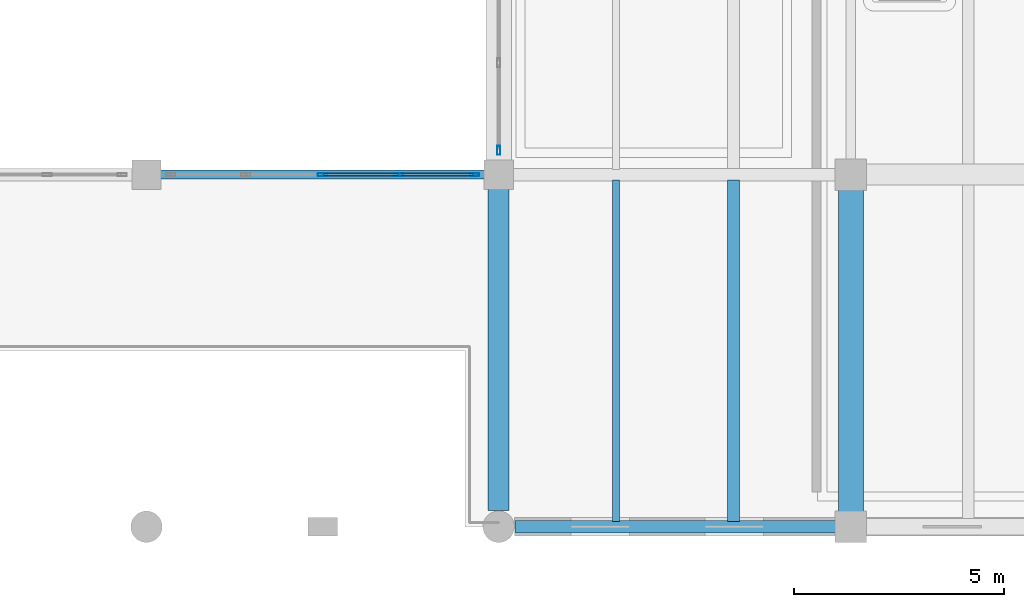
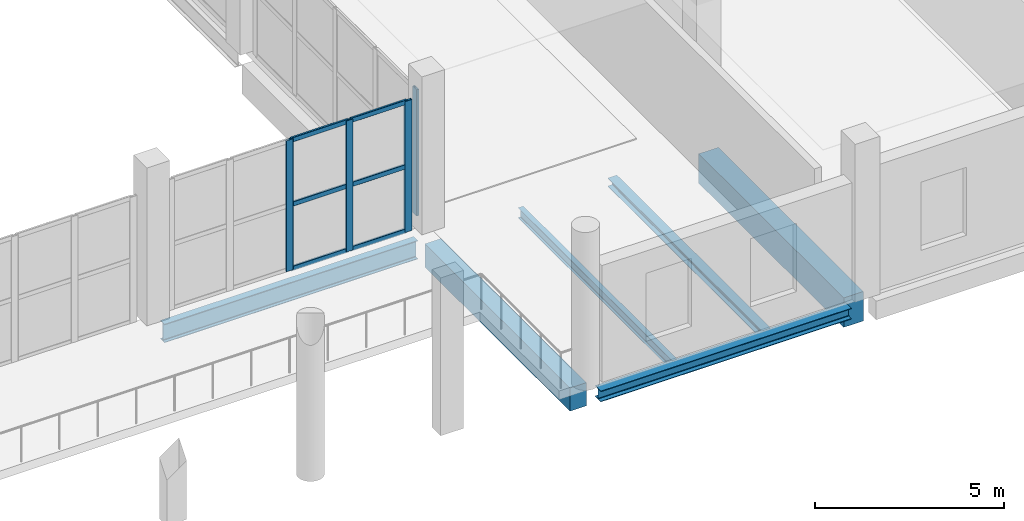
# One storey, part 14 of 66: 10 members, 6 beams, 2 elements without a shape of their own.
"""IFC4 building model written with IfcOpenShell, lengths in metres."""

from ifc_helpers import new_model, si_unit, direction, frame, origin, origin_2d, place, context, subcontext, project, spatial, rectangle, hollow_rectangle, i_section, extrude, material, layer, layer_set, material_profile, profile_set, type_object, element, aggregate, save


model = new_model("IFC4")

# Units and contexts
model_context = context("Model", 3, precision=1e-05, world=origin(), true_north=direction((0.0, 1.0)))
body_context = subcontext(model_context, "Body", "Model", "MODEL_VIEW")
ifc_project = project(units=[si_unit("LENGTHUNIT", "METRE"), si_unit("AREAUNIT", "SQUARE_METRE"), si_unit("VOLUMEUNIT", "CUBIC_METRE"), si_unit("PLANEANGLEUNIT", "RADIAN"), si_unit("MASSUNIT", "GRAM", prefix="KILO")], contexts=[model_context])

# Site, building, storey
site_placement = place(None, origin())
site = spatial("IfcSite", under=ifc_project, at=site_placement, CompositionType="ELEMENT")
building_placement = place(site_placement, origin())
building = spatial("IfcBuilding", under=site, at=building_placement, Name="Zulmaris Art Gallery", CompositionType="ELEMENT")
storey_placement = place(building_placement, frame((0.0, 0.0, 5.39990234375)))
storey = spatial("IfcBuildingStorey", under=building, at=storey_placement, Name="L01", CompositionType="ELEMENT", Elevation=5.39990234375)

# Beams
ifc_material_1 = material(Name="Steel S355J2", Category="steel")
ifc_material_profile_1 = material_profile(ifc_material_1, i_section(OverallWidth=0.219970703125, OverallDepth=0.60009765625, WebThickness=0.011962890625, FlangeThickness=0.01904296875, FilletRadius=0.02392578125, at=origin_2d()), Name="IPE 600")
ifc_profile_set_1 = profile_set([ifc_material_profile_1], Name="Steel S355J2")
beam_type_1 = type_object("IfcBeamType", Name="BEAM-BM07", PredefinedType="BEAM", material=ifc_profile_set_1)
beam_1_placement = place(storey_placement, frame((116.735107421875, 21.60009765625, -0.6298828125), z_axis=(1.0, 0.0, 0.0), x_axis=(0.0, 1.0, 0.0)))
element("IfcBeam", 1, at=beam_1_placement, inside=storey, type_object=beam_type_1, Name="L01 X-girder (116.4..124.8, y=21.6)", PredefinedType="BEAM", context=body_context, shape_type="SweptSolid", body=[
    extrude(i_section(OverallWidth=0.219970703125, OverallDepth=0.60009765625, WebThickness=0.011962890625, FlangeThickness=0.01904296875, FilletRadius=0.02392578125, at=origin_2d()), origin(), (0.0, 0.0, 1.0), 7.72998046875),
])
ifc_material_2 = material(Name="Concrete C40/50", Category="concrete")
ifc_material_profile_2 = material_profile(ifc_material_2, rectangle(XDim=0.5, YDim=0.75, at=origin_2d()), Name="RC 500x750")
ifc_profile_set_2 = profile_set([ifc_material_profile_2], Name="Concrete C40/50")
beam_type_2 = type_object("IfcBeamType", Name="BEAM-BM20", PredefinedType="BEAM", material=ifc_profile_set_2)
beam_2_placement = place(storey_placement, frame((124.800048828125, 13.5849609375, -0.704833984375), z_axis=(0.0, 1.0, 0.0), x_axis=(-1.0, 0.0, 0.0)))
element("IfcBeam", 2, at=beam_2_placement, inside=storey, type_object=beam_type_2, Name="L01 Y-girder (x=124.8, 13.2..21.6)", PredefinedType="BEAM", context=body_context, shape_type="SweptSolid", body=[
    extrude(rectangle(XDim=0.5, YDim=0.75, at=origin_2d()), origin(), (0.0, 0.0, 1.0), 7.679931640625),
])
ifc_material_profile_3 = material_profile(ifc_material_2, rectangle(XDim=0.60009765625, YDim=0.949951171875, at=origin_2d()), Name="RC 600x950")
ifc_profile_set_3 = profile_set([ifc_material_profile_3], Name="Concrete C40/50")
beam_type_3 = type_object("IfcBeamType", Name="BEAM-BM22", PredefinedType="BEAM", material=ifc_profile_set_3)
beam_3_placement = place(storey_placement, frame((133.199951171875, 13.56005859375, -0.804931640625), z_axis=(0.0, 1.0, 0.0), x_axis=(-1.0, 0.0, 0.0)))
element("IfcBeam", 3, at=beam_3_placement, inside=storey, type_object=beam_type_3, Name="L01 Y-girder (x=133.2, 13.2..21.6)", PredefinedType="BEAM", context=body_context, shape_type="SweptSolid", body=[
    extrude(rectangle(XDim=0.60009765625, YDim=0.949951171875, at=origin_2d()), origin(), (0.0, 0.0, 1.0), 7.679931640625),
])
ifc_material_profile_4 = material_profile(ifc_material_1, i_section(OverallWidth=0.159912109375, OverallDepth=0.330078125, WebThickness=0.007568359375, FlangeThickness=0.011474609375, FilletRadius=0.01806640625, at=origin_2d()), Name="IPE 330")
ifc_profile_set_4 = profile_set([ifc_material_profile_4], Name="Steel S355J2")
beam_type_4 = type_object("IfcBeamType", Name="BEAM-JS03", PredefinedType="JOIST", material=ifc_profile_set_4)
beam_4_placement = place(storey_placement, frame((127.60009765625, 13.324951171875, -0.494873046875), z_axis=(0.0, 1.0, 0.0), x_axis=(-1.0, 0.0, 0.0)))
element("IfcBeam", 4, at=beam_4_placement, inside=storey, type_object=beam_type_4, Name="L01 secondary joist at x=127.6", PredefinedType="JOIST", context=body_context, shape_type="SweptSolid", body=[
    extrude(i_section(OverallWidth=0.159912109375, OverallDepth=0.330078125, WebThickness=0.007568359375, FlangeThickness=0.011474609375, FilletRadius=0.01806640625, at=origin_2d()), origin(), (0.0, 0.0, 1.0), 8.150146484375),
])
ifc_material_profile_5 = material_profile(ifc_material_1, i_section(OverallWidth=0.280029296875, OverallDepth=0.27001953125, WebThickness=0.008056640625, FlangeThickness=0.012939453125, FilletRadius=0.02392578125, at=origin_2d()), Name="HEA 280")
ifc_profile_set_5 = profile_set([ifc_material_profile_5], Name="Steel S355J2")
beam_type_5 = type_object("IfcBeamType", Name="BEAM-JS04", PredefinedType="JOIST", material=ifc_profile_set_5)
beam_5_placement = place(storey_placement, frame((130.39990234375, 13.324951171875, -0.46484375), z_axis=(0.0, 1.0, 0.0), x_axis=(-1.0, 0.0, 0.0)))
element("IfcBeam", 5, at=beam_5_placement, inside=storey, type_object=beam_type_5, Name="L01 secondary joist at x=130.4", PredefinedType="JOIST", context=body_context, shape_type="SweptSolid", body=[
    extrude(i_section(OverallWidth=0.280029296875, OverallDepth=0.27001953125, WebThickness=0.008056640625, FlangeThickness=0.012939453125, FilletRadius=0.02392578125, at=origin_2d()), origin(), (0.0, 0.0, 1.0), 8.150146484375),
])
ifc_material_profile_6 = material_profile(ifc_material_1, i_section(OverallWidth=0.300048828125, OverallDepth=0.35009765625, WebThickness=0.010009765625, FlangeThickness=0.017578125, FilletRadius=0.027099609375, at=origin_2d()), Name="HEA 360")
ifc_profile_set_6 = profile_set([ifc_material_profile_6], Name="Steel S355J2")
beam_type_6 = type_object("IfcBeamType", Name="BEAM-SP01", PredefinedType="SPANDREL", material=ifc_profile_set_6)
beam_6_placement = place(storey_placement, frame((125.18505859375, 13.199951171875, -0.5048828125), z_axis=(1.0, 0.0, 0.0), x_axis=(0.0, 1.0, 0.0)))
element("IfcBeam", 6, at=beam_6_placement, inside=storey, type_object=beam_type_6, Name="L01 X-girder (124.8..133.2, y=13.2)", PredefinedType="SPANDREL", context=body_context, shape_type="SweptSolid", body=[
    extrude(i_section(OverallWidth=0.300048828125, OverallDepth=0.35009765625, WebThickness=0.010009765625, FlangeThickness=0.017578125, FilletRadius=0.027099609375, at=origin_2d()), origin(), (0.0, 0.0, 1.0), 7.655029296875),
])

# Curtain wall, member
ifc_material_3 = material(Name="Unitised Low-E Gallery Curtain Wall", Category="aluminium")
ifc_layer_1 = layer(ifc_material_3, 0.179931640625)
ifc_layer_set_1 = layer_set([ifc_layer_1], Name="Unitised Low-E Gallery Curtain Wall")
curtain_wall_type_1 = type_object("IfcCurtainWallType", Name="CW-CW01", PredefinedType="NOTDEFINED", material=ifc_layer_set_1)
curtain_wall_1_placement = place(storey_placement, origin())
curtain_wall_1 = element("IfcCurtainWall", 7, at=curtain_wall_1_placement, inside=storey, type_object=curtain_wall_type_1, Name="L01 curtain wall 100", PredefinedType="NOTDEFINED")
ifc_material_4 = material(Name="Anodised Bronze Aluminium", Category="aluminium")
ifc_material_profile_7 = material_profile(ifc_material_4, hollow_rectangle(XDim=0.074951171875, YDim=0.219970703125, WallThickness=0.0048828125, InnerFilletRadius=0.007568359375, OuterFilletRadius=0.012451171875, at=origin_2d()), Name="ALU 75x220x5")
ifc_profile_set_7 = profile_set([ifc_material_profile_7], Name="Anodised Bronze Aluminium")
member_type_1 = type_object("IfcMemberType", Name="CWMUL-02", PredefinedType="MULLION", material=ifc_profile_set_7)
member_1_placement = place(storey_placement, frame((124.800048828125, 22.177490234375, 0.0), z_axis=(0.0, 0.0, 1.0), x_axis=(-1.0, 0.0, 0.0)))
member_1 = element("IfcMember", 8, at=member_1_placement, type_object=member_type_1, Name="CW01 mullion 1", PredefinedType="MULLION", context=body_context, shape_type="SweptSolid", body=[
    extrude(hollow_rectangle(XDim=0.074951171875, YDim=0.219970703125, WallThickness=0.0048828125, InnerFilletRadius=0.007568359375, OuterFilletRadius=0.012451171875, at=origin_2d()), origin(), (0.0, 0.0, 1.0), 4.0751953125),
])
aggregate(curtain_wall_1, [member_1])

# Curtain wall, members
ifc_material_5 = material(Name="Cloister & Court Glazed Curtain Wall", Category="aluminium")
ifc_layer_2 = layer(ifc_material_5, 0.179931640625)
ifc_layer_set_2 = layer_set([ifc_layer_2], Name="Cloister & Court Glazed Curtain Wall")
curtain_wall_type_2 = type_object("IfcCurtainWallType", Name="CW-CW03", PredefinedType="NOTDEFINED", material=ifc_layer_set_2)
curtain_wall_2_placement = place(storey_placement, origin())
curtain_wall_2 = element("IfcCurtainWall", 9, at=curtain_wall_2_placement, inside=storey, type_object=curtain_wall_type_2, Name="L01 curtain wall 192", PredefinedType="NOTDEFINED")
member_2_placement = place(storey_placement, frame((120.60009765625, 21.60009765625, 0.0), z_axis=(0.0, 0.0, 1.0), x_axis=(0.0, 1.0, 0.0)))
member_2 = element("IfcMember", 10, at=member_2_placement, type_object=member_type_1, Name="CW03 mullion 3", PredefinedType="MULLION", context=body_context, shape_type="SweptSolid", body=[
    extrude(hollow_rectangle(XDim=0.074951171875, YDim=0.219970703125, WallThickness=0.0048828125, InnerFilletRadius=0.007568359375, OuterFilletRadius=0.012451171875, at=origin_2d()), origin(), (0.0, 0.0, 1.0), 4.22998046875),
])
member_3_placement = place(storey_placement, frame((122.429931640625, 21.60009765625, 0.0), z_axis=(0.0, 0.0, 1.0), x_axis=(0.0, 1.0, 0.0)))
member_3 = element("IfcMember", 11, at=member_3_placement, type_object=member_type_1, Name="CW03 mullion 4", PredefinedType="MULLION", context=body_context, shape_type="SweptSolid", body=[
    extrude(hollow_rectangle(XDim=0.074951171875, YDim=0.219970703125, WallThickness=0.0048828125, InnerFilletRadius=0.007568359375, OuterFilletRadius=0.012451171875, at=origin_2d()), origin(), (0.0, 0.0, 1.0), 4.22998046875),
])
member_4_placement = place(storey_placement, frame((124.222412109375, 21.60009765625, 0.0), z_axis=(0.0, 0.0, 1.0), x_axis=(0.0, 1.0, 0.0)))
member_4 = element("IfcMember", 12, at=member_4_placement, type_object=member_type_1, Name="CW03 mullion 5", PredefinedType="MULLION", context=body_context, shape_type="SweptSolid", body=[
    extrude(hollow_rectangle(XDim=0.074951171875, YDim=0.219970703125, WallThickness=0.0048828125, InnerFilletRadius=0.007568359375, OuterFilletRadius=0.012451171875, at=origin_2d()), origin(), (0.0, 0.0, 1.0), 4.22998046875),
])
ifc_material_profile_8 = material_profile(ifc_material_4, hollow_rectangle(XDim=0.06494140625, YDim=0.14990234375, WallThickness=0.00390625, InnerFilletRadius=0.006103515625, OuterFilletRadius=0.010009765625, at=origin_2d()), Name="ALU 65x150x4")
ifc_profile_set_8 = profile_set([ifc_material_profile_8], Name="Anodised Bronze Aluminium")
member_type_2 = type_object("IfcMemberType", Name="CWTRN-01", PredefinedType="USERDEFINED", material=ifc_profile_set_8)
member_5_placement = place(storey_placement, frame((120.637451171875, 21.60009765625, 0.03759765625), z_axis=(1.0, 0.0, 0.0), x_axis=(0.0, 1.0, 0.0)))
member_5 = element("IfcMember", 13, at=member_5_placement, type_object=member_type_2, Name="CW03 transom 3.1", ObjectType="TRANSOM", PredefinedType="USERDEFINED", context=body_context, shape_type="SweptSolid", body=[
    extrude(hollow_rectangle(XDim=0.06494140625, YDim=0.14990234375, WallThickness=0.00390625, InnerFilletRadius=0.006103515625, OuterFilletRadius=0.010009765625, at=origin_2d()), origin(), (0.0, 0.0, 1.0), 1.755126953125),
])
member_6_placement = place(storey_placement, frame((120.637451171875, 21.60009765625, 2.114990234375), z_axis=(1.0, 0.0, 0.0), x_axis=(0.0, 1.0, 0.0)))
member_6 = element("IfcMember", 14, at=member_6_placement, type_object=member_type_2, Name="CW03 transom 3.2", ObjectType="TRANSOM", PredefinedType="USERDEFINED", context=body_context, shape_type="SweptSolid", body=[
    extrude(hollow_rectangle(XDim=0.06494140625, YDim=0.14990234375, WallThickness=0.00390625, InnerFilletRadius=0.006103515625, OuterFilletRadius=0.010009765625, at=origin_2d()), origin(), (0.0, 0.0, 1.0), 1.755126953125),
])
member_7_placement = place(storey_placement, frame((120.637451171875, 21.60009765625, 4.192626953125), z_axis=(1.0, 0.0, 0.0), x_axis=(0.0, 1.0, 0.0)))
member_7 = element("IfcMember", 15, at=member_7_placement, type_object=member_type_2, Name="CW03 transom 3.3", ObjectType="TRANSOM", PredefinedType="USERDEFINED", context=body_context, shape_type="SweptSolid", body=[
    extrude(hollow_rectangle(XDim=0.06494140625, YDim=0.14990234375, WallThickness=0.00390625, InnerFilletRadius=0.006103515625, OuterFilletRadius=0.010009765625, at=origin_2d()), origin(), (0.0, 0.0, 1.0), 1.755126953125),
])
member_8_placement = place(storey_placement, frame((122.467529296875, 21.60009765625, 0.03759765625), z_axis=(1.0, 0.0, 0.0), x_axis=(0.0, 1.0, 0.0)))
member_8 = element("IfcMember", 16, at=member_8_placement, type_object=member_type_2, Name="CW03 transom 4.1", ObjectType="TRANSOM", PredefinedType="USERDEFINED", context=body_context, shape_type="SweptSolid", body=[
    extrude(hollow_rectangle(XDim=0.06494140625, YDim=0.14990234375, WallThickness=0.00390625, InnerFilletRadius=0.006103515625, OuterFilletRadius=0.010009765625, at=origin_2d()), origin(), (0.0, 0.0, 1.0), 1.717529296875),
])
member_9_placement = place(storey_placement, frame((122.467529296875, 21.60009765625, 2.114990234375), z_axis=(1.0, 0.0, 0.0), x_axis=(0.0, 1.0, 0.0)))
member_9 = element("IfcMember", 17, at=member_9_placement, type_object=member_type_2, Name="CW03 transom 4.2", ObjectType="TRANSOM", PredefinedType="USERDEFINED", context=body_context, shape_type="SweptSolid", body=[
    extrude(hollow_rectangle(XDim=0.06494140625, YDim=0.14990234375, WallThickness=0.00390625, InnerFilletRadius=0.006103515625, OuterFilletRadius=0.010009765625, at=origin_2d()), origin(), (0.0, 0.0, 1.0), 1.717529296875),
])
member_10_placement = place(storey_placement, frame((122.467529296875, 21.60009765625, 4.192626953125), z_axis=(1.0, 0.0, 0.0), x_axis=(0.0, 1.0, 0.0)))
member_10 = element("IfcMember", 18, at=member_10_placement, type_object=member_type_2, Name="CW03 transom 4.3", ObjectType="TRANSOM", PredefinedType="USERDEFINED", context=body_context, shape_type="SweptSolid", body=[
    extrude(hollow_rectangle(XDim=0.06494140625, YDim=0.14990234375, WallThickness=0.00390625, InnerFilletRadius=0.006103515625, OuterFilletRadius=0.010009765625, at=origin_2d()), origin(), (0.0, 0.0, 1.0), 1.717529296875),
])
aggregate(curtain_wall_2, [member_2, member_3, member_4, member_5, member_6, member_7, member_8, member_9, member_10])

save(model, "model.ifc")
